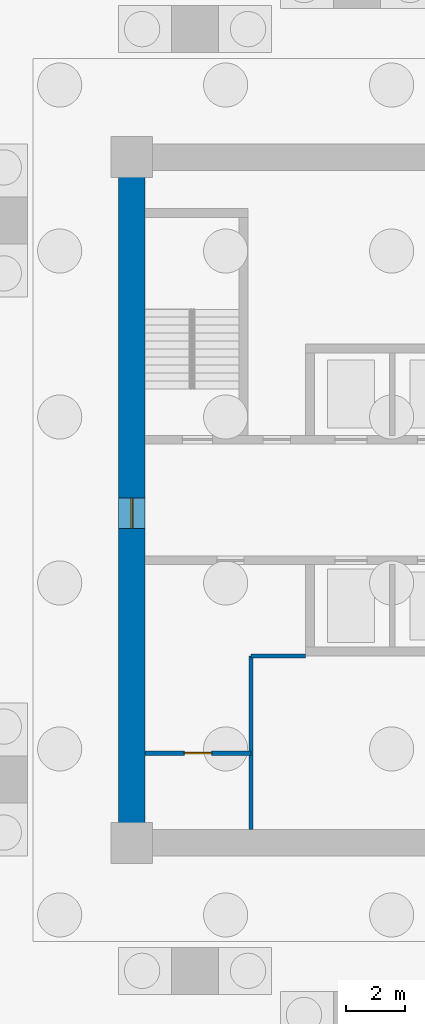
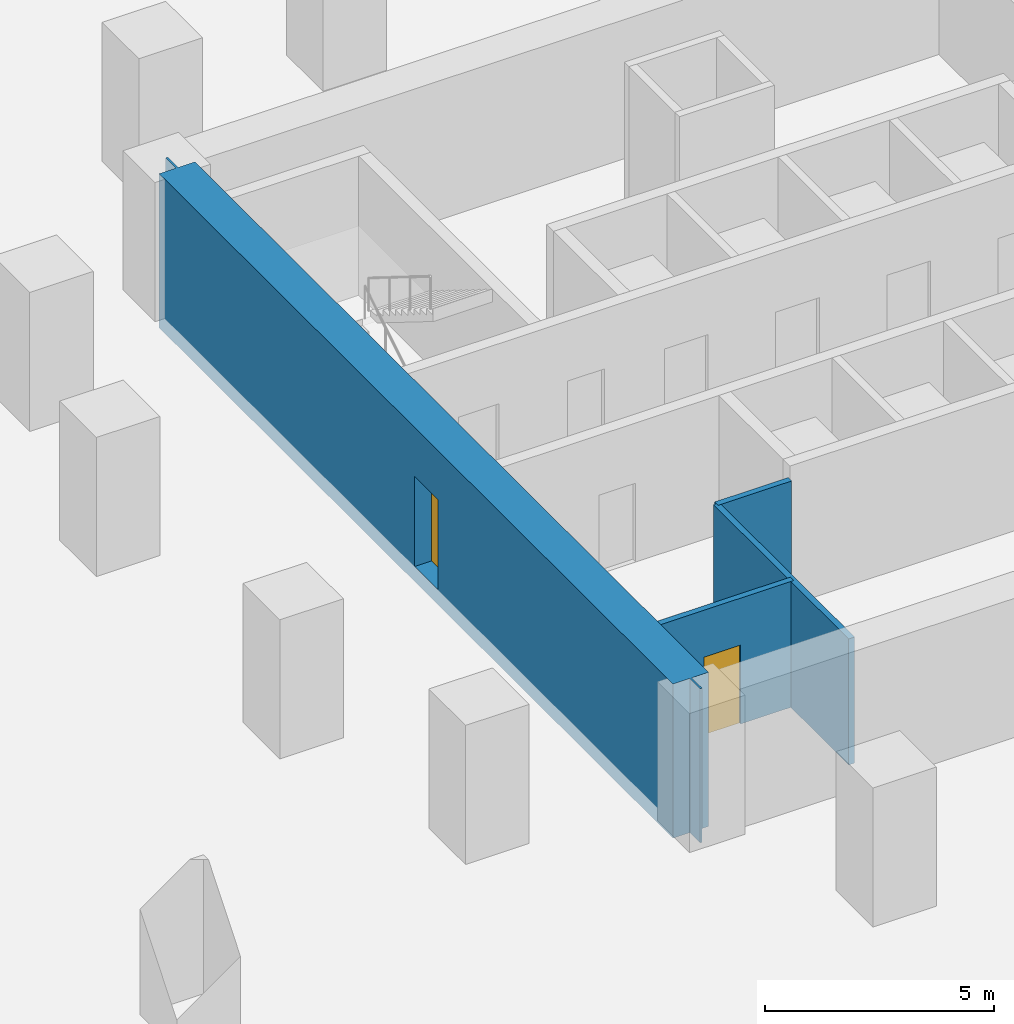
# One storey, part 3 of 11: 4 walls, 2 doors, 2 openings.
"""IFC4 building model written with IfcOpenShell, lengths in metres."""

from ifc_helpers import new_model, si_unit, direction, frame, frame_2d, origin, place, context, subcontext, project, spatial, polyline, rectangle, outline, extrude, material, layer, layer_set, type_object, element, fill, save


model = new_model("IFC4")

# Units and contexts
model_context = context("Model", 3, precision=1e-05, world=origin(), true_north=direction((0.0, 1.0)))
body_context = subcontext(model_context, "Body", "Model", "MODEL_VIEW")
ifc_project = project(units=[si_unit("LENGTHUNIT", "METRE"), si_unit("AREAUNIT", "SQUARE_METRE"), si_unit("VOLUMEUNIT", "CUBIC_METRE"), si_unit("PLANEANGLEUNIT", "RADIAN"), si_unit("MASSUNIT", "GRAM", prefix="KILO")], contexts=[model_context])

# Site, building, storey
site_placement = place(None, origin())
site = spatial("IfcSite", under=ifc_project, at=site_placement, CompositionType="ELEMENT")
building_placement = place(site_placement, origin())
building = spatial("IfcBuilding", under=site, at=building_placement, Name="Torsade Residences", CompositionType="ELEMENT")
storey_placement = place(building_placement, frame((0.0, 0.0, -7.39990234375)))
storey = spatial("IfcBuildingStorey", under=building, at=storey_placement, Name="B2", CompositionType="ELEMENT", Elevation=-7.39990234375)

# Wall, opening, door
ifc_material_1 = material(Name="Concrete 80 MPa", Category="concrete")
ifc_layer_1 = layer(ifc_material_1, 0.89990234375)
ifc_layer_set_1 = layer_set([ifc_layer_1], Name="Concrete 80 MPa")
wall_type_1 = type_object("IfcWallType", Name="CORE WALL 900", PredefinedType="SHEAR", material=ifc_layer_set_1)
wall_1_placement = place(storey_placement, frame((28.35009765625, 41.199951171875, -0.400146484375), z_axis=(0.0, 0.0, 1.0), x_axis=(0.0, -1.0, 0.0)))
wall_1 = element("IfcWall", 1, at=wall_1_placement, inside=storey, type_object=wall_type_1, Name="Core wall W B2", PredefinedType="SHEAR", context=body_context, shape_type="SweptSolid", body=[
    extrude(outline(polyline([(0.0, -0.449951171875), (22.39990234375, -0.449951171875), (22.39990234375, -0.02490234375), (22.849853515625, -0.02490234375), (22.849853515625, 0.02490234375), (22.39990234375, 0.02490234375), (22.39990234375, 0.449951171875), (0.0, 0.449951171875), (0.0, 0.02490234375), (-0.449951171875, 0.02490234375), (-0.449951171875, -0.02490234375), (0.0, -0.02490234375), (0.0, -0.449951171875)])), origin(), (0.0, 0.0, 1.0), 4.10009765625),
])
opening_1_placement = place(wall_1_placement, frame((11.139892578125, 0.0, 0.39990234375)))
opening_1 = element("IfcOpeningElement", 2, at=opening_1_placement, cuts=wall_1, Name="Opening D04", PredefinedType="OPENING", context=body_context, shape_type="SweptSolid", body=[
    extrude(rectangle(XDim=1.02001953125, YDim=2.39990234375, at=frame_2d((0.510009765625, 1.199951171875))), frame((0.0, 0.4599609375, 0.0), z_axis=(0.0, -1.0, 0.0), x_axis=(1.0, 0.0, 0.0)), (0.0, 0.0, 1.0), 0.919921875),
])
ifc_material_2 = material(Name="Steel-framed fire door", Category="steel")
door_type_1 = type_object("IfcDoorType", Name="LOBBY SMOKE DOOR 1020x2400", OperationType="NOTDEFINED", PredefinedType="DOOR", material=ifc_material_2)
door_1_placement = place(opening_1_placement, origin())
door_1 = element("IfcDoor", 3, at=door_1_placement, inside=storey, type_object=door_type_1, Name="Lift lobby door W B2", OperationType="SINGLE_SWING_RIGHT", OverallHeight=2.39990234375, OverallWidth=1.02001953125, PredefinedType="DOOR", context=body_context, shape_type="SweptSolid", body=[
    extrude(rectangle(XDim=1.02001953125, YDim=2.39990234375, at=frame_2d((0.510009765625, 1.199951171875))), frame((0.0, 0.02490234375, 0.0), z_axis=(0.0, -1.0, 0.0), x_axis=(1.0, 0.0, 0.0)), (0.0, 0.0, 1.0), 0.050048828125),
])
fill(opening_1, door_1)

# Walls
ifc_material_3 = material(Name="Reinforced blockwork", Category="masonry")
ifc_layer_2 = layer(ifc_material_3, 0.14990234375)
ifc_layer_set_2 = layer_set([ifc_layer_2], Name="Reinforced blockwork")
wall_type_2 = type_object("IfcWallType", Name="SERVICE ROOM WALL 150", PredefinedType="SOLIDWALL", material=ifc_layer_set_2)
wall_2_placement = place(storey_placement, frame((32.39990234375, 18.800048828125, 0.0), z_axis=(0.0, 0.0, 1.0), x_axis=(0.0, 1.0, 0.0)))
element("IfcWall", 4, at=wall_2_placement, inside=storey, type_object=wall_type_2, Name="Service room wall B2", PredefinedType="SOLIDWALL", context=body_context, shape_type="SweptSolid", body=[
    extrude(rectangle(XDim=5.89990234375, YDim=0.14990234375, at=frame_2d((2.949951171875, 0.0))), origin(), (0.0, 0.0, 1.0), 3.349853515625),
])
wall_3_placement = place(storey_placement, frame((32.39990234375, 24.699951171875, 0.0), z_axis=(0.0, 0.0, 1.0), x_axis=(1.0, 0.0, 0.0)))
element("IfcWall", 5, at=wall_3_placement, inside=storey, type_object=wall_type_2, Name="Service room wall B2", PredefinedType="SOLIDWALL", context=body_context, shape_type="SweptSolid", body=[
    extrude(rectangle(XDim=1.85009765625, YDim=0.14990234375, at=frame_2d((0.925048828125, 0.0))), origin(), (0.0, 0.0, 1.0), 3.349853515625),
])

# Wall, opening, door
wall_4_placement = place(storey_placement, frame((32.39990234375, 21.39990234375, 0.0), z_axis=(0.0, 0.0, 1.0), x_axis=(-1.0, 0.0, 0.0)))
wall_4 = element("IfcWall", 6, at=wall_4_placement, inside=storey, type_object=wall_type_2, Name="Service room wall B2", PredefinedType="SOLIDWALL", context=body_context, shape_type="SweptSolid", body=[
    extrude(rectangle(XDim=3.599853515625, YDim=0.14990234375, at=frame_2d((1.7998046875, 0.0))), origin(), (0.0, 0.0, 1.0), 3.349853515625),
])
opening_2_placement = place(wall_4_placement, frame((1.340087890625, 0.0, 0.0)))
opening_2 = element("IfcOpeningElement", 7, at=opening_2_placement, cuts=wall_4, Name="Opening D06", PredefinedType="OPENING", context=body_context, shape_type="SweptSolid", body=[
    extrude(rectangle(XDim=0.919921875, YDim=2.10009765625, at=frame_2d((0.4599609375, 1.050048828125))), frame((0.0, 0.0849609375, 0.0), z_axis=(0.0, -1.0, 0.0), x_axis=(1.0, 0.0, 0.0)), (0.0, 0.0, 1.0), 0.169921875),
])
ifc_material_4 = material(Name="Steel-framed fire door", Category="steel")
door_type_2 = type_object("IfcDoorType", Name="FIRE DOOR 920", OperationType="NOTDEFINED", PredefinedType="DOOR", material=ifc_material_4)
door_2_placement = place(opening_2_placement, origin())
door_2 = element("IfcDoor", 8, at=door_2_placement, inside=storey, type_object=door_type_2, Name="Door Cleaner store to Building store", OperationType="SINGLE_SWING_LEFT", OverallHeight=2.10009765625, OverallWidth=0.919921875, PredefinedType="DOOR", context=body_context, shape_type="SweptSolid", body=[
    extrude(rectangle(XDim=0.919921875, YDim=2.10009765625, at=frame_2d((0.4599609375, 1.050048828125))), frame((0.0, 0.02490234375, 0.0), z_axis=(0.0, -1.0, 0.0), x_axis=(1.0, 0.0, 0.0)), (0.0, 0.0, 1.0), 0.050048828125),
])
fill(opening_2, door_2)

save(model, "model.ifc")
